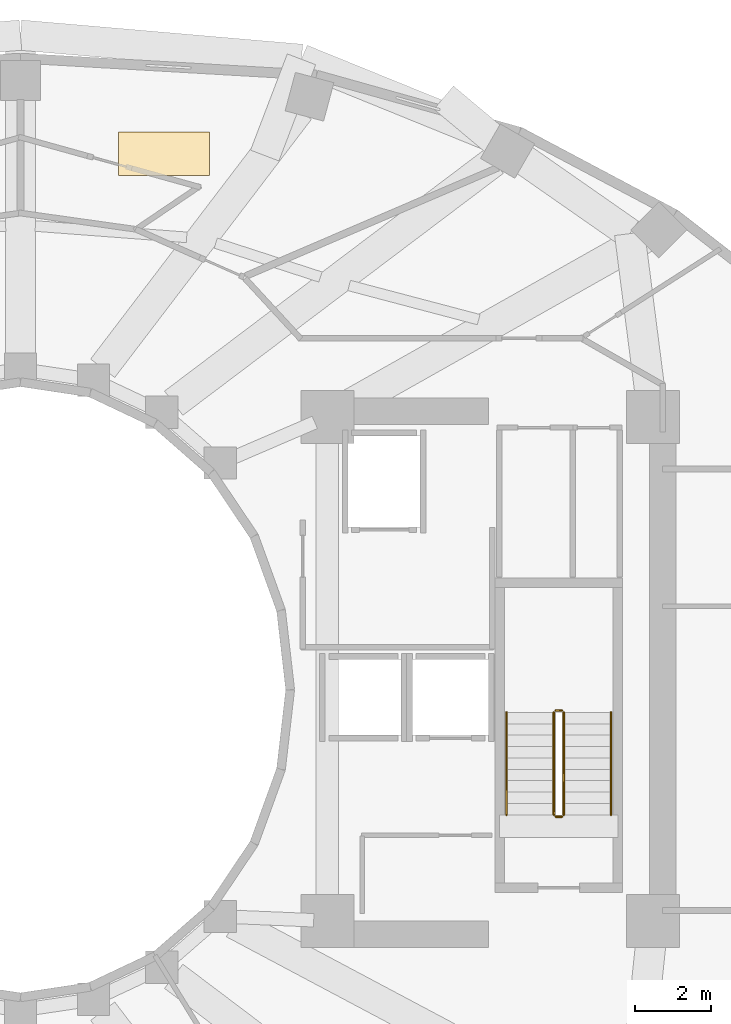
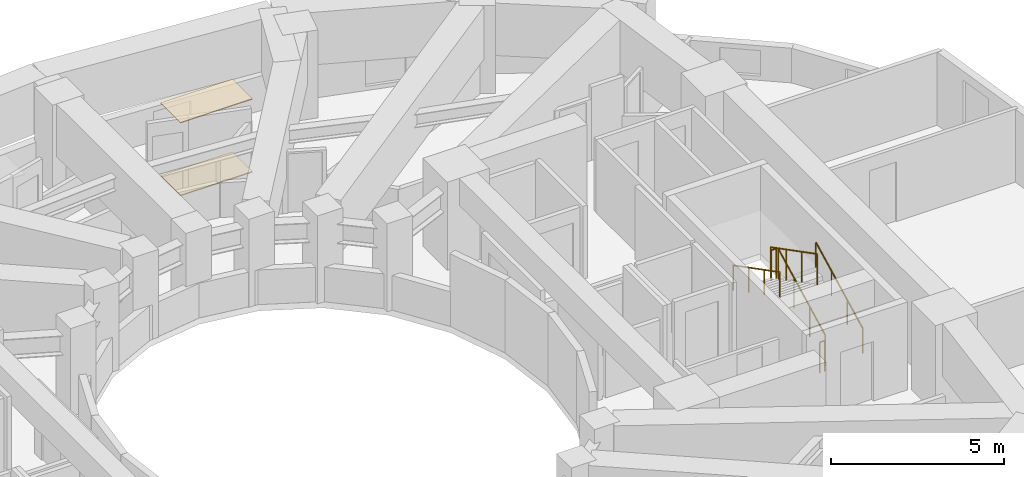
# One storey, part 9 of 9: 6 railings, 2 coverings.
"""IFC4 building model written with IfcOpenShell, lengths in metres."""

from ifc_helpers import new_model, si_unit, direction, frame, origin, origin_2d, place, context, subcontext, project, spatial, polyline, circle, outline, extrude, material, layer, layer_set, type_object, element, save


model = new_model("IFC4")

# Units and contexts
model_context = context("Model", 3, precision=1e-05, world=origin(), true_north=direction((0.0, 1.0)))
body_context = subcontext(model_context, "Body", "Model", "MODEL_VIEW")
ifc_project = project(units=[si_unit("LENGTHUNIT", "METRE"), si_unit("AREAUNIT", "SQUARE_METRE"), si_unit("VOLUMEUNIT", "CUBIC_METRE"), si_unit("PLANEANGLEUNIT", "RADIAN"), si_unit("MASSUNIT", "GRAM", prefix="KILO")], contexts=[model_context])

# Site, building, storey
site_placement = place(None, origin())
site = spatial("IfcSite", under=ifc_project, at=site_placement, CompositionType="ELEMENT")
building_placement = place(site_placement, origin())
building = spatial("IfcBuilding", under=site, at=building_placement, Name="Solvane Sanctuary Tower", CompositionType="ELEMENT")
storey_placement = place(building_placement, frame((0.0, 0.0, 125.89990234375)))
storey = spatial("IfcBuildingStorey", under=building, at=storey_placement, Name="L38", CompositionType="ELEMENT", Elevation=125.89990234375)

# Coverings
ifc_material_1 = material(Name="Acoustic Gypsum Partition Board")
ifc_layer_1 = layer(ifc_material_1, 0.02490234375, Name="Acoustic Gypsum Partition Board")
ifc_layer_set_1 = layer_set([ifc_layer_1], Name="Acoustic Gypsum Partition Board")
covering_type_1 = type_object("IfcCoveringType", Name="Covering CLG-ACOUST", PredefinedType="CEILING", material=ifc_layer_set_1)
covering_1_placement = place(storey_placement, frame((0.0, 0.0, 2.570068359375)))
element("IfcCovering", 1, at=covering_1_placement, inside=storey, type_object=covering_type_1, Name="L38 Unit Acoustic Ceiling Panel 1", PredefinedType="CEILING", context=body_context, shape_type="SweptSolid", body=[
    extrude(outline(polyline([(34.592041015625, 36.575927734375), (36.991943359375, 36.575927734375), (36.991943359375, 37.72607421875), (34.592041015625, 37.72607421875), (34.592041015625, 36.575927734375)])), origin(), (0.0, 0.0, 1.0), 0.030029296875),
])
ifc_material_2 = material(Name="Ceramic Tile Finish")
ifc_layer_2 = layer(ifc_material_2, 0.030029296875, Name="Ceramic Tile Finish")
ifc_layer_set_2 = layer_set([ifc_layer_2], Name="Ceramic Tile Finish")
covering_type_2 = type_object("IfcCoveringType", Name="Covering FLR-TERRAZZO", PredefinedType="FLOORING", material=ifc_layer_set_2)
covering_2_placement = place(storey_placement, origin())
element("IfcCovering", 2, at=covering_2_placement, inside=storey, type_object=covering_type_2, Name="L38 Unit Terrazzo Inlay 1", PredefinedType="FLOORING", context=body_context, shape_type="SweptSolid", body=[
    extrude(outline(polyline([(34.592041015625, 36.575927734375), (36.991943359375, 36.575927734375), (36.991943359375, 37.72607421875), (34.592041015625, 37.72607421875), (34.592041015625, 36.575927734375)])), origin(), (0.0, 0.0, 1.0), 0.03515625),
])

# Railings
ifc_material_3 = material(Name="Architectural Stainless Steel 316", Category="steel")
railing_type_1 = type_object("IfcRailingType", Name="Railing GR-BALC-1150", PredefinedType="BALUSTRADE", material=ifc_material_3)
railing_1_placement = place(storey_placement, frame((46.340087890625, 19.699951171875, 0.155029296875)))
element("IfcRailing", 3, at=railing_1_placement, inside=storey, type_object=railing_type_1, Name="L38 ST-2 stair guard 1", PredefinedType="BALUSTRADE", context=body_context, shape_type="SweptSolid", body=[
    extrude(circle(Radius=0.02392578125, at=origin_2d()), frame((0.0, 0.0, 1.076171875), z_axis=(0.0, 0.888419900624, 0.459031676658), x_axis=(-1.0, 0.0, 0.0)), (0.0, 0.0, 1.0), 3.0390625),
    extrude(circle(Radius=0.02099609375, at=origin_2d()), origin(), (0.0, 0.0, 1.0), 1.052001953125),
    extrude(circle(Radius=0.02099609375, at=origin_2d()), frame((0.0, 0.89990234375, 0.465087890625)), (0.0, 0.0, 1.0), 1.052001953125),
    extrude(circle(Radius=0.02099609375, at=origin_2d()), frame((0.0, 1.800048828125, 0.929931640625)), (0.0, 0.0, 1.0), 1.052001953125),
    extrude(circle(Radius=0.02099609375, at=origin_2d()), frame((0.0, 2.699951171875, 1.39501953125)), (0.0, 0.0, 1.0), 1.052001953125),
])
railing_2_placement = place(storey_placement, frame((46.2900390625, 22.449951171875, 1.550048828125)))
element("IfcRailing", 4, at=railing_2_placement, inside=storey, type_object=railing_type_1, Name="L38 ST-2 stair guard 2", PredefinedType="BALUSTRADE", context=body_context, shape_type="SweptSolid", body=[
    extrude(circle(Radius=0.02392578125, at=origin_2d()), frame((0.0, 0.0, 1.076171875), z_axis=(-1.0, 0.0, 0.0), x_axis=(0.0, -1.0, 0.0)), (0.0, 0.0, 1.0), 0.16015625),
    extrude(circle(Radius=0.02099609375, at=origin_2d()), origin(), (0.0, 0.0, 1.0), 1.052001953125),
    extrude(circle(Radius=0.02099609375, at=origin_2d()), frame((-0.16015625, 0.0, 0.0)), (0.0, 0.0, 1.0), 1.052001953125),
])
railing_3_placement = place(storey_placement, frame((46.080078125, 22.39990234375, 1.705078125)))
element("IfcRailing", 5, at=railing_3_placement, inside=storey, type_object=railing_type_1, Name="L38 ST-2 stair guard 3", PredefinedType="BALUSTRADE", context=body_context, shape_type="SweptSolid", body=[
    extrude(circle(Radius=0.02392578125, at=origin_2d()), frame((0.0, 0.0, 1.076171875), z_axis=(0.0, -0.888419900624, 0.459031676658), x_axis=(1.0, 0.0, 0.0)), (0.0, 0.0, 1.0), 3.0390625),
    extrude(circle(Radius=0.02099609375, at=origin_2d()), origin(), (0.0, 0.0, 1.0), 1.052001953125),
    extrude(circle(Radius=0.02099609375, at=origin_2d()), frame((0.0, -0.89990234375, 0.465087890625)), (0.0, 0.0, 1.0), 1.052001953125),
    extrude(circle(Radius=0.02099609375, at=origin_2d()), frame((0.0, -1.800048828125, 0.929931640625)), (0.0, 0.0, 1.0), 1.052001953125),
    extrude(circle(Radius=0.02099609375, at=origin_2d()), frame((0.0, -2.699951171875, 1.39501953125)), (0.0, 0.0, 1.0), 1.052001953125),
])
railing_4_placement = place(storey_placement, frame((46.2900390625, 19.64990234375, 0.0)))
element("IfcRailing", 6, at=railing_4_placement, inside=storey, type_object=railing_type_1, Name="L38 ST-2 stair guard 4", PredefinedType="BALUSTRADE", context=body_context, shape_type="SweptSolid", body=[
    extrude(circle(Radius=0.02392578125, at=origin_2d()), frame((0.0, 0.0, 1.076171875), z_axis=(-1.0, 0.0, 0.0), x_axis=(0.0, -1.0, 0.0)), (0.0, 0.0, 1.0), 0.16015625),
    extrude(circle(Radius=0.02099609375, at=origin_2d()), origin(), (0.0, 0.0, 1.0), 1.052001953125),
    extrude(circle(Radius=0.02099609375, at=origin_2d()), frame((-0.16015625, 0.0, 0.0)), (0.0, 0.0, 1.0), 1.052001953125),
])
railing_type_2 = type_object("IfcRailingType", Name="Railing HR-STAIR-920", PredefinedType="HANDRAIL", material=ifc_material_3)
railing_5_placement = place(storey_placement, frame((47.590087890625, 19.699951171875, 0.155029296875)))
element("IfcRailing", 7, at=railing_5_placement, inside=storey, type_object=railing_type_2, Name="L38 ST-2 stair handrail 1", PredefinedType="HANDRAIL", context=body_context, shape_type="SweptSolid", body=[
    extrude(circle(Radius=0.02392578125, at=origin_2d()), frame((0.0, 0.0, 0.8759765625), z_axis=(0.0, 0.888419900624, 0.459031676658), x_axis=(-1.0, 0.0, 0.0)), (0.0, 0.0, 1.0), 3.0390625),
    extrude(circle(Radius=0.02099609375, at=origin_2d()), origin(), (0.0, 0.0, 1.0), 0.851806640625),
    extrude(circle(Radius=0.02099609375, at=origin_2d()), frame((0.0, 0.89990234375, 0.465087890625)), (0.0, 0.0, 1.0), 0.851806640625),
    extrude(circle(Radius=0.02099609375, at=origin_2d()), frame((0.0, 1.800048828125, 0.929931640625)), (0.0, 0.0, 1.0), 0.851806640625),
    extrude(circle(Radius=0.02099609375, at=origin_2d()), frame((0.0, 2.699951171875, 1.39501953125)), (0.0, 0.0, 1.0), 0.851806640625),
])
railing_6_placement = place(storey_placement, frame((44.830078125, 22.39990234375, 1.705078125)))
element("IfcRailing", 8, at=railing_6_placement, inside=storey, type_object=railing_type_2, Name="L38 ST-2 stair handrail 2", PredefinedType="HANDRAIL", context=body_context, shape_type="SweptSolid", body=[
    extrude(circle(Radius=0.02392578125, at=origin_2d()), frame((0.0, 0.0, 0.8759765625), z_axis=(0.0, -0.888419900624, 0.459031676658), x_axis=(1.0, 0.0, 0.0)), (0.0, 0.0, 1.0), 3.0390625),
    extrude(circle(Radius=0.02099609375, at=origin_2d()), origin(), (0.0, 0.0, 1.0), 0.851806640625),
    extrude(circle(Radius=0.02099609375, at=origin_2d()), frame((0.0, -0.89990234375, 0.465087890625)), (0.0, 0.0, 1.0), 0.851806640625),
    extrude(circle(Radius=0.02099609375, at=origin_2d()), frame((0.0, -1.800048828125, 0.929931640625)), (0.0, 0.0, 1.0), 0.851806640625),
    extrude(circle(Radius=0.02099609375, at=origin_2d()), frame((0.0, -2.699951171875, 1.39501953125)), (0.0, 0.0, 1.0), 0.851806640625),
])

save(model, "model.ifc")
